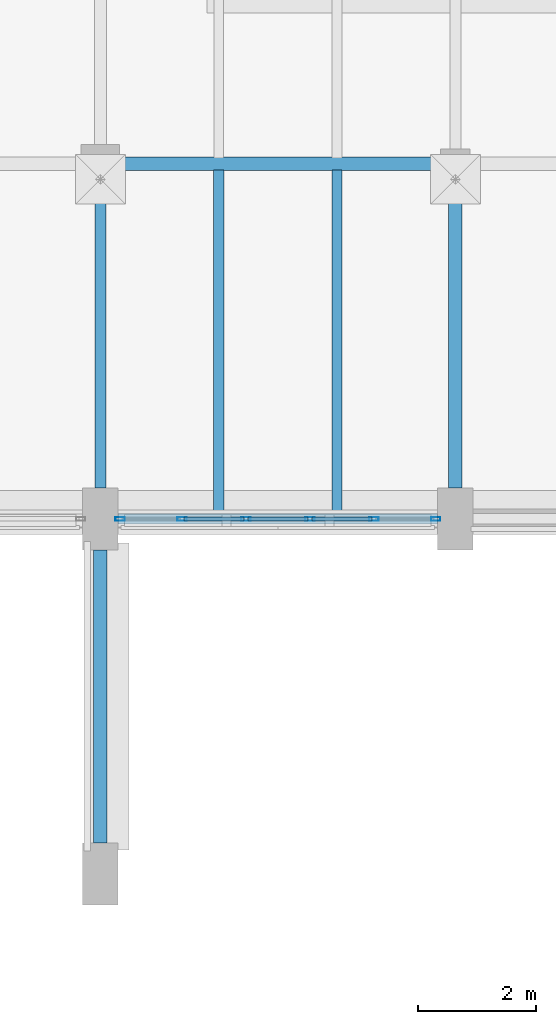
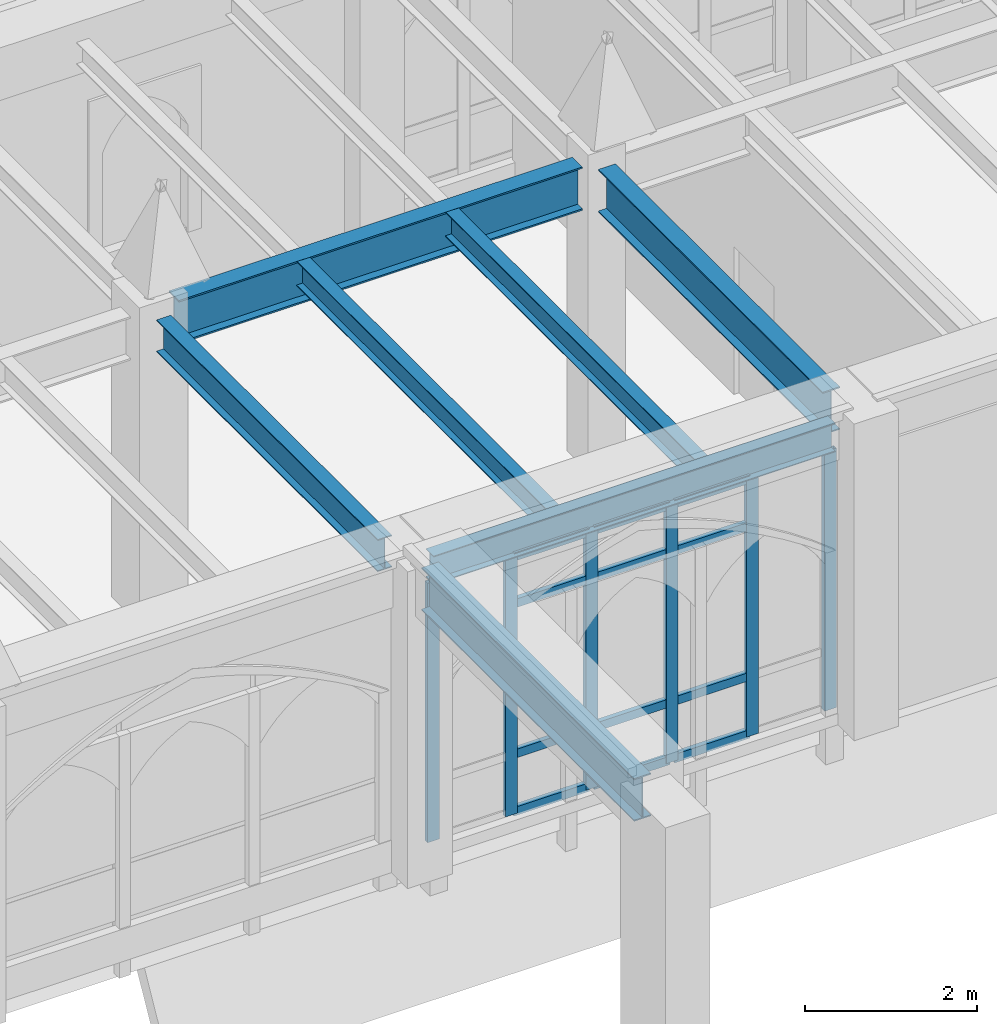
# One storey, part 61 of 143: 18 members, 7 beams, 1 element without a shape of its own.
"""IFC4 building model written with IfcOpenShell, lengths in metres."""

from ifc_helpers import new_model, si_unit, direction, frame, origin, origin_2d, place, context, subcontext, project, spatial, hollow_rectangle, i_section, extrude, material, layer, layer_set, material_profile, profile_set, type_object, element, aggregate, save


model = new_model("IFC4")

# Units and contexts
model_context = context("Model", 3, precision=1e-05, world=origin(), true_north=direction((0.0, 1.0)))
body_context = subcontext(model_context, "Body", "Model", "MODEL_VIEW")
ifc_project = project(units=[si_unit("LENGTHUNIT", "METRE"), si_unit("AREAUNIT", "SQUARE_METRE"), si_unit("VOLUMEUNIT", "CUBIC_METRE"), si_unit("PLANEANGLEUNIT", "RADIAN"), si_unit("MASSUNIT", "GRAM", prefix="KILO")], contexts=[model_context])

# Site, building, storey
site_placement = place(None, origin())
site = spatial("IfcSite", under=ifc_project, at=site_placement, CompositionType="ELEMENT")
building_placement = place(site_placement, origin())
building = spatial("IfcBuilding", under=site, at=building_placement, Name="Cumevento Cable Car Station", CompositionType="ELEMENT")
storey_placement = place(building_placement, frame((0.0, 0.0, 9.0)))
storey = spatial("IfcBuildingStorey", under=building, at=storey_placement, Name="L03", CompositionType="ELEMENT", Elevation=9.0)

# Curtain wall, members
ifc_material_1 = material(Name="Anodised Bronze Aluminium AW-6063-T6", Category="aluminium")
ifc_layer = layer(ifc_material_1, 0.159912109375)
ifc_layer_set = layer_set([ifc_layer], Name="Anodised Bronze Aluminium AW-6063-T6")
curtain_wall_type = type_object("IfcCurtainWallType", Name="Lancet Curtain Wall CW-01 1050", PredefinedType="NOTDEFINED", material=ifc_layer_set)
curtain_wall_placement = place(storey_placement, origin())
curtain_wall = element("IfcCurtainWall", 1, at=curtain_wall_placement, inside=storey, type_object=curtain_wall_type, Name="Lancet Curtain Wall CW-01 L03 #112", PredefinedType="NOTDEFINED")
ifc_material_2 = material(Name="Anodised Bronze Aluminium AW-6063-T6", Category="aluminium")
ifc_material_profile_1 = material_profile(ifc_material_2, hollow_rectangle(XDim=0.06494140625, YDim=0.159912109375, WallThickness=0.00390625, at=origin_2d()), Name="ALUM65x160x4")
ifc_profile_set_1 = profile_set([ifc_material_profile_1], Name="Anodised Bronze Aluminium AW-6063-T6")
member_type_1 = type_object("IfcMemberType", Name="Curtain Mullion CWM-01 ALUM65x160x4", PredefinedType="MULLION", material=ifc_profile_set_1)
member_1_placement = place(storey_placement, frame((105.66748046875, 45.0, 0.159912109375), z_axis=(0.0, 0.0, 1.0), x_axis=(0.0, -1.0, 0.0)))
member_1 = element("IfcMember", 2, at=member_1_placement, type_object=member_type_1, Name="CW-01 mullion 1", PredefinedType="MULLION", context=body_context, shape_type="SweptSolid", body=[
    extrude(hollow_rectangle(XDim=0.06494140625, YDim=0.159912109375, WallThickness=0.00390625, at=origin_2d()), origin(), (0.0, 0.0, 1.0), 3.68505859375),
])
member_2_placement = place(storey_placement, frame((104.6201171875, 45.0, 0.159912109375), z_axis=(0.0, 0.0, 1.0), x_axis=(0.0, -1.0, 0.0)))
member_2 = element("IfcMember", 3, at=member_2_placement, type_object=member_type_1, Name="CW-01 mullion 2", PredefinedType="MULLION", context=body_context, shape_type="SweptSolid", body=[
    extrude(hollow_rectangle(XDim=0.06494140625, YDim=0.159912109375, WallThickness=0.00390625, at=origin_2d()), origin(), (0.0, 0.0, 1.0), 3.68505859375),
])
member_3_placement = place(storey_placement, frame((103.5400390625, 45.0, 0.159912109375), z_axis=(0.0, 0.0, 1.0), x_axis=(0.0, -1.0, 0.0)))
member_3 = element("IfcMember", 4, at=member_3_placement, type_object=member_type_1, Name="CW-01 mullion 3", PredefinedType="MULLION", context=body_context, shape_type="SweptSolid", body=[
    extrude(hollow_rectangle(XDim=0.06494140625, YDim=0.159912109375, WallThickness=0.00390625, at=origin_2d()), origin(), (0.0, 0.0, 1.0), 3.68505859375),
])
member_4_placement = place(storey_placement, frame((102.4599609375, 45.0, 0.159912109375), z_axis=(0.0, 0.0, 1.0), x_axis=(0.0, -1.0, 0.0)))
member_4 = element("IfcMember", 5, at=member_4_placement, type_object=member_type_1, Name="CW-01 mullion 4", PredefinedType="MULLION", context=body_context, shape_type="SweptSolid", body=[
    extrude(hollow_rectangle(XDim=0.06494140625, YDim=0.159912109375, WallThickness=0.00390625, at=origin_2d()), origin(), (0.0, 0.0, 1.0), 3.68505859375),
])
member_5_placement = place(storey_placement, frame((101.3798828125, 45.0, 0.159912109375), z_axis=(0.0, 0.0, 1.0), x_axis=(0.0, -1.0, 0.0)))
member_5 = element("IfcMember", 6, at=member_5_placement, type_object=member_type_1, Name="CW-01 mullion 5", PredefinedType="MULLION", context=body_context, shape_type="SweptSolid", body=[
    extrude(hollow_rectangle(XDim=0.06494140625, YDim=0.159912109375, WallThickness=0.00390625, at=origin_2d()), origin(), (0.0, 0.0, 1.0), 3.68505859375),
])
member_6_placement = place(storey_placement, frame((100.33251953125, 45.0, 0.159912109375), z_axis=(0.0, 0.0, 1.0), x_axis=(0.0, -1.0, 0.0)))
member_6 = element("IfcMember", 7, at=member_6_placement, type_object=member_type_1, Name="CW-01 mullion 6", PredefinedType="MULLION", context=body_context, shape_type="SweptSolid", body=[
    extrude(hollow_rectangle(XDim=0.06494140625, YDim=0.159912109375, WallThickness=0.00390625, at=origin_2d()), origin(), (0.0, 0.0, 1.0), 3.68505859375),
])
ifc_material_3 = material(Name="Anodised Bronze Aluminium AW-6063-T6", Category="aluminium")
ifc_material_profile_2 = material_profile(ifc_material_3, hollow_rectangle(XDim=0.06494140625, YDim=0.1201171875, WallThickness=0.00390625, at=origin_2d()), Name="ALUT65x120x4")
ifc_profile_set_2 = profile_set([ifc_material_profile_2], Name="Anodised Bronze Aluminium AW-6063-T6")
member_type_2 = type_object("IfcMemberType", Name="Curtain Transom CWT-01 ALUT65x120x4", PredefinedType="USERDEFINED", material=ifc_profile_set_2)
member_7_placement = place(storey_placement, frame((104.58740234375, 45.0, 0.1923828125), z_axis=(-1.0, 0.0, 0.0), x_axis=(0.0, -1.0, 0.0)))
member_7 = element("IfcMember", 8, at=member_7_placement, type_object=member_type_2, Name="CW-01 transom 2.1", ObjectType="TRANSOM", PredefinedType="USERDEFINED", context=body_context, shape_type="SweptSolid", body=[
    extrude(hollow_rectangle(XDim=0.06494140625, YDim=0.1201171875, WallThickness=0.00390625, at=origin_2d()), origin(), (0.0, 0.0, 1.0), 1.014892578125),
])
member_8_placement = place(storey_placement, frame((104.58740234375, 45.0, 1.010009765625), z_axis=(-1.0, 0.0, 0.0), x_axis=(0.0, -1.0, 0.0)))
member_8 = element("IfcMember", 9, at=member_8_placement, type_object=member_type_2, Name="CW-01 transom 2.2", ObjectType="TRANSOM", PredefinedType="USERDEFINED", context=body_context, shape_type="SweptSolid", body=[
    extrude(hollow_rectangle(XDim=0.06494140625, YDim=0.1201171875, WallThickness=0.00390625, at=origin_2d()), origin(), (0.0, 0.0, 1.0), 1.014892578125),
])
member_9_placement = place(storey_placement, frame((104.58740234375, 45.0, 3.14501953125), z_axis=(-1.0, 0.0, 0.0), x_axis=(0.0, -1.0, 0.0)))
member_9 = element("IfcMember", 10, at=member_9_placement, type_object=member_type_2, Name="CW-01 transom 2.3", ObjectType="TRANSOM", PredefinedType="USERDEFINED", context=body_context, shape_type="SweptSolid", body=[
    extrude(hollow_rectangle(XDim=0.06494140625, YDim=0.1201171875, WallThickness=0.00390625, at=origin_2d()), origin(), (0.0, 0.0, 1.0), 1.014892578125),
])
member_10_placement = place(storey_placement, frame((104.58740234375, 45.0, 3.8125), z_axis=(-1.0, 0.0, 0.0), x_axis=(0.0, -1.0, 0.0)))
member_10 = element("IfcMember", 11, at=member_10_placement, type_object=member_type_2, Name="CW-01 transom 2.4", ObjectType="TRANSOM", PredefinedType="USERDEFINED", context=body_context, shape_type="SweptSolid", body=[
    extrude(hollow_rectangle(XDim=0.06494140625, YDim=0.1201171875, WallThickness=0.00390625, at=origin_2d()), origin(), (0.0, 0.0, 1.0), 1.014892578125),
])
member_11_placement = place(storey_placement, frame((103.507568359375, 45.0, 0.1923828125), z_axis=(-1.0, 0.0, 0.0), x_axis=(0.0, -1.0, 0.0)))
member_11 = element("IfcMember", 12, at=member_11_placement, type_object=member_type_2, Name="CW-01 transom 3.1", ObjectType="TRANSOM", PredefinedType="USERDEFINED", context=body_context, shape_type="SweptSolid", body=[
    extrude(hollow_rectangle(XDim=0.06494140625, YDim=0.1201171875, WallThickness=0.00390625, at=origin_2d()), origin(), (0.0, 0.0, 1.0), 1.01513671875),
])
member_12_placement = place(storey_placement, frame((103.507568359375, 45.0, 1.010009765625), z_axis=(-1.0, 0.0, 0.0), x_axis=(0.0, -1.0, 0.0)))
member_12 = element("IfcMember", 13, at=member_12_placement, type_object=member_type_2, Name="CW-01 transom 3.2", ObjectType="TRANSOM", PredefinedType="USERDEFINED", context=body_context, shape_type="SweptSolid", body=[
    extrude(hollow_rectangle(XDim=0.06494140625, YDim=0.1201171875, WallThickness=0.00390625, at=origin_2d()), origin(), (0.0, 0.0, 1.0), 1.01513671875),
])
member_13_placement = place(storey_placement, frame((103.507568359375, 45.0, 3.14501953125), z_axis=(-1.0, 0.0, 0.0), x_axis=(0.0, -1.0, 0.0)))
member_13 = element("IfcMember", 14, at=member_13_placement, type_object=member_type_2, Name="CW-01 transom 3.3", ObjectType="TRANSOM", PredefinedType="USERDEFINED", context=body_context, shape_type="SweptSolid", body=[
    extrude(hollow_rectangle(XDim=0.06494140625, YDim=0.1201171875, WallThickness=0.00390625, at=origin_2d()), origin(), (0.0, 0.0, 1.0), 1.01513671875),
])
member_14_placement = place(storey_placement, frame((103.507568359375, 45.0, 3.8125), z_axis=(-1.0, 0.0, 0.0), x_axis=(0.0, -1.0, 0.0)))
member_14 = element("IfcMember", 15, at=member_14_placement, type_object=member_type_2, Name="CW-01 transom 3.4", ObjectType="TRANSOM", PredefinedType="USERDEFINED", context=body_context, shape_type="SweptSolid", body=[
    extrude(hollow_rectangle(XDim=0.06494140625, YDim=0.1201171875, WallThickness=0.00390625, at=origin_2d()), origin(), (0.0, 0.0, 1.0), 1.01513671875),
])
member_15_placement = place(storey_placement, frame((102.427490234375, 45.0, 0.1923828125), z_axis=(-1.0, 0.0, 0.0), x_axis=(0.0, -1.0, 0.0)))
member_15 = element("IfcMember", 16, at=member_15_placement, type_object=member_type_2, Name="CW-01 transom 4.1", ObjectType="TRANSOM", PredefinedType="USERDEFINED", context=body_context, shape_type="SweptSolid", body=[
    extrude(hollow_rectangle(XDim=0.06494140625, YDim=0.1201171875, WallThickness=0.00390625, at=origin_2d()), origin(), (0.0, 0.0, 1.0), 1.014892578125),
])
member_16_placement = place(storey_placement, frame((102.427490234375, 45.0, 1.010009765625), z_axis=(-1.0, 0.0, 0.0), x_axis=(0.0, -1.0, 0.0)))
member_16 = element("IfcMember", 17, at=member_16_placement, type_object=member_type_2, Name="CW-01 transom 4.2", ObjectType="TRANSOM", PredefinedType="USERDEFINED", context=body_context, shape_type="SweptSolid", body=[
    extrude(hollow_rectangle(XDim=0.06494140625, YDim=0.1201171875, WallThickness=0.00390625, at=origin_2d()), origin(), (0.0, 0.0, 1.0), 1.014892578125),
])
member_17_placement = place(storey_placement, frame((102.427490234375, 45.0, 3.14501953125), z_axis=(-1.0, 0.0, 0.0), x_axis=(0.0, -1.0, 0.0)))
member_17 = element("IfcMember", 18, at=member_17_placement, type_object=member_type_2, Name="CW-01 transom 4.3", ObjectType="TRANSOM", PredefinedType="USERDEFINED", context=body_context, shape_type="SweptSolid", body=[
    extrude(hollow_rectangle(XDim=0.06494140625, YDim=0.1201171875, WallThickness=0.00390625, at=origin_2d()), origin(), (0.0, 0.0, 1.0), 1.014892578125),
])
member_18_placement = place(storey_placement, frame((102.427490234375, 45.0, 3.8125), z_axis=(-1.0, 0.0, 0.0), x_axis=(0.0, -1.0, 0.0)))
member_18 = element("IfcMember", 19, at=member_18_placement, type_object=member_type_2, Name="CW-01 transom 4.4", ObjectType="TRANSOM", PredefinedType="USERDEFINED", context=body_context, shape_type="SweptSolid", body=[
    extrude(hollow_rectangle(XDim=0.06494140625, YDim=0.1201171875, WallThickness=0.00390625, at=origin_2d()), origin(), (0.0, 0.0, 1.0), 1.014892578125),
])
aggregate(curtain_wall, [member_1, member_2, member_3, member_4, member_5, member_6, member_7, member_8, member_9, member_10, member_11, member_12, member_13, member_14, member_15, member_16, member_17, member_18])

# Beams
ifc_material_4 = material(Name="Steel ASTM A572 Grade 50", Category="steel")
ifc_material_profile_3 = material_profile(ifc_material_4, i_section(OverallWidth=0.22998046875, OverallDepth=0.616943359375, WebThickness=0.01318359375, FlangeThickness=0.022216796875, at=origin_2d()), Name="W610x140.0")
ifc_profile_set_3 = profile_set([ifc_material_profile_3], Name="Steel ASTM A572 Grade 50")
beam_type_1 = type_object("IfcBeamType", Name="Structural Beam BM-01 W610x140.0", PredefinedType="BEAM", material=ifc_profile_set_3)
beam_1_placement = place(storey_placement, frame((100.324951171875, 51.0, 3.943603515625), z_axis=(1.0, 0.0, 0.0), x_axis=(0.0, 1.0, 0.0)))
element("IfcBeam", 20, at=beam_1_placement, inside=storey, type_object=beam_type_1, Name="Beam BM-01 L03 #1090", PredefinedType="BEAM", context=body_context, shape_type="SweptSolid", body=[
    extrude(i_section(OverallWidth=0.22998046875, OverallDepth=0.616943359375, WebThickness=0.01318359375, FlangeThickness=0.022216796875, at=origin_2d()), origin(), (0.0, 0.0, 1.0), 5.425048828125),
])
ifc_material_5 = material(Name="Steel ASTM A572 Grade 50", Category="steel")
ifc_material_profile_4 = material_profile(ifc_material_5, i_section(OverallWidth=0.22802734375, OverallDepth=0.60791015625, WebThickness=0.01123046875, FlangeThickness=0.017333984375, at=origin_2d()), Name="W610x113.0")
ifc_profile_set_4 = profile_set([ifc_material_profile_4], Name="Steel ASTM A572 Grade 50")
beam_type_2 = type_object("IfcBeamType", Name="Structural Beam BM-02 W610x113.0", PredefinedType="BEAM", material=ifc_profile_set_4)
beam_2_placement = place(storey_placement, frame((106.0, 45.52490234375, 3.947998046875), z_axis=(0.0, 1.0, 0.0), x_axis=(-1.0, 0.0, 0.0)))
element("IfcBeam", 21, at=beam_2_placement, inside=storey, type_object=beam_type_2, Name="Beam BM-02 L03 #1102", PredefinedType="BEAM", context=body_context, shape_type="SweptSolid", body=[
    extrude(i_section(OverallWidth=0.22802734375, OverallDepth=0.60791015625, WebThickness=0.01123046875, FlangeThickness=0.017333984375, at=origin_2d()), origin(), (0.0, 0.0, 1.0), 5.22509765625),
])
beam_3_placement = place(storey_placement, frame((100.0, 39.52490234375, 4.196044921875), z_axis=(0.0, 1.0, 0.0), x_axis=(-1.0, 0.0, 0.0)))
element("IfcBeam", 22, at=beam_3_placement, inside=storey, type_object=beam_type_2, Name="South Downhill Foothill Ropeway Cabin Portal Buttress Tie Girder L03 #94", PredefinedType="BEAM", context=body_context, shape_type="SweptSolid", body=[
    extrude(i_section(OverallWidth=0.22802734375, OverallDepth=0.60791015625, WebThickness=0.01123046875, FlangeThickness=0.017333984375, at=origin_2d()), origin(), (0.0, 0.0, 1.0), 4.9501953125),
])
ifc_material_6 = material(Name="Steel ASTM A572 Grade 50", Category="steel")
ifc_material_profile_5 = material_profile(ifc_material_6, i_section(OverallWidth=0.18994140625, OverallDepth=0.45703125, WebThickness=0.009033203125, FlangeThickness=0.014404296875, at=origin_2d()), Name="W460x74.0")
ifc_profile_set_5 = profile_set([ifc_material_profile_5], Name="Steel ASTM A572 Grade 50")
beam_type_3 = type_object("IfcBeamType", Name="Structural Beam BM-04 W460x74.0", PredefinedType="BEAM", material=ifc_profile_set_5)
beam_4_placement = place(storey_placement, frame((100.0, 45.52490234375, 4.0234375), z_axis=(0.0, 1.0, 0.0), x_axis=(-1.0, 0.0, 0.0)))
element("IfcBeam", 23, at=beam_4_placement, inside=storey, type_object=beam_type_3, Name="Beam BM-04 L03 #1100", PredefinedType="BEAM", context=body_context, shape_type="SweptSolid", body=[
    extrude(i_section(OverallWidth=0.18994140625, OverallDepth=0.45703125, WebThickness=0.009033203125, FlangeThickness=0.014404296875, at=origin_2d()), origin(), (0.0, 0.0, 1.0), 5.150146484375),
])
ifc_material_7 = material(Name="Steel ASTM A572 Grade 50", Category="steel")
ifc_material_profile_6 = material_profile(ifc_material_7, i_section(OverallWidth=0.1708984375, OverallDepth=0.35498046875, WebThickness=0.007080078125, FlangeThickness=0.01171875, at=origin_2d()), Name="W360x51.0")
ifc_profile_set_6 = profile_set([ifc_material_profile_6], Name="Steel ASTM A572 Grade 50")
beam_type_4 = type_object("IfcBeamType", Name="Structural Joist JS-01 W360x51.0", PredefinedType="JOIST", material=ifc_profile_set_6)
for number, where, z_axis, x_axis, name in (
    (24, (102.0, 45.076904296875, 4.074462890625), (0.0, 1.0, 0.0), (-1.0, 0.0, 0.0), "Composite Floor Joist JS-01 L03 #1272"),
    (25, (104.0, 45.076904296875, 4.074462890625), (0.0, 1.0, 0.0), (-1.0, 0.0, 0.0), "Composite Floor Joist JS-01 L03 #1274"),
):
    element("IfcBeam", number, at=place(storey_placement, frame(where, z_axis=z_axis, x_axis=x_axis)), inside=storey, type_object=beam_type_4, Name=name, PredefinedType="JOIST", context=body_context, shape_type="SweptSolid", body=[
        extrude(i_section(OverallWidth=0.1708984375, OverallDepth=0.35498046875, WebThickness=0.007080078125, FlangeThickness=0.01171875, at=origin_2d()), origin(), (0.0, 0.0, 1.0), 5.820068359375),
    ])
ifc_material_8 = material(Name="Steel ASTM A572 Grade 50", Category="steel")
ifc_material_profile_7 = material_profile(ifc_material_8, i_section(OverallWidth=0.177978515625, OverallDepth=0.406982421875, WebThickness=0.0078125, FlangeThickness=0.0126953125, at=origin_2d()), Name="W410x60.0")
ifc_profile_set_7 = profile_set([ifc_material_profile_7], Name="Steel ASTM A572 Grade 50")
beam_type_5 = type_object("IfcBeamType", Name="Structural Spandrel SP-01 W410x60.0", PredefinedType="SPANDREL", material=ifc_profile_set_7)
beam_5_placement = place(storey_placement, frame((100.300048828125, 45.0, 4.048583984375), z_axis=(1.0, 0.0, 0.0), x_axis=(0.0, 1.0, 0.0)))
element("IfcBeam", 26, at=beam_5_placement, inside=storey, type_object=beam_type_5, Name="Beam SP-01 L03 #1085", PredefinedType="SPANDREL", context=body_context, shape_type="SweptSolid", body=[
    extrude(i_section(OverallWidth=0.177978515625, OverallDepth=0.406982421875, WebThickness=0.0078125, FlangeThickness=0.0126953125, at=origin_2d()), origin(), (0.0, 0.0, 1.0), 5.39990234375),
])

save(model, "model.ifc")
